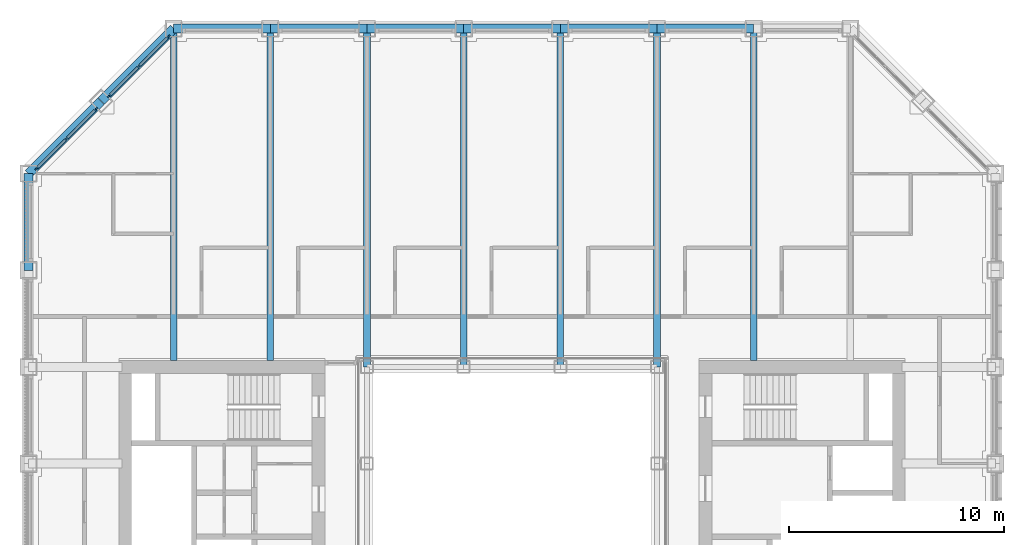
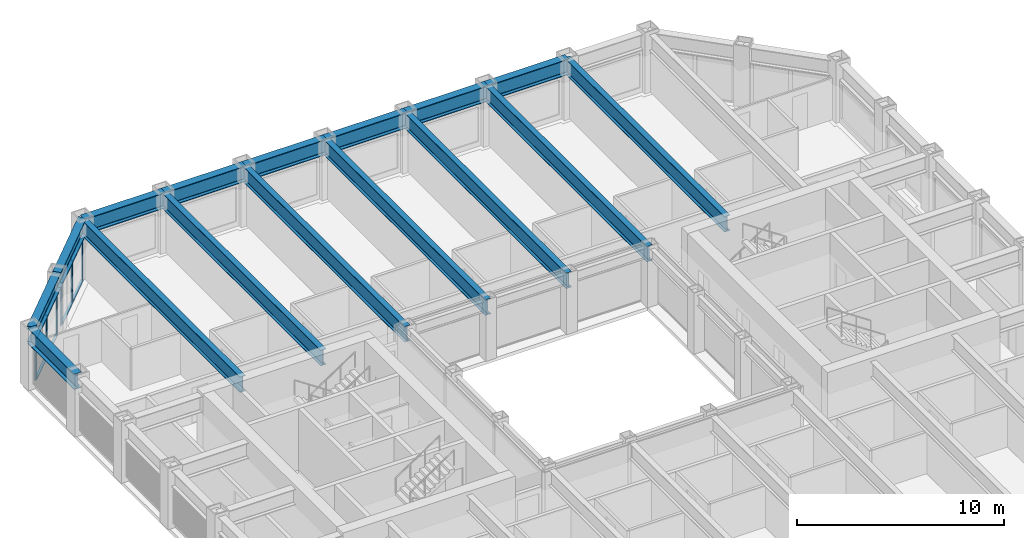
# One storey, part 7 of 18: 16 beams, 14 members, 2 elements without a shape of their own.
"""IFC4 building model written with IfcOpenShell, lengths in metres."""

from ifc_helpers import new_model, si_unit, direction, frame, origin, origin_2d, place, context, subcontext, project, spatial, rectangle, i_section, extrude, material, material_profile, profile_set, type_object, element, aggregate, save


model = new_model("IFC4")

# Units and contexts
model_context = context("Model", 3, precision=1e-05, world=origin(), true_north=direction((0.0, 1.0)))
body_context = subcontext(model_context, "Body", "Model", "MODEL_VIEW")
ifc_project = project(units=[si_unit("LENGTHUNIT", "METRE"), si_unit("AREAUNIT", "SQUARE_METRE"), si_unit("VOLUMEUNIT", "CUBIC_METRE"), si_unit("PLANEANGLEUNIT", "RADIAN"), si_unit("MASSUNIT", "GRAM", prefix="KILO")], contexts=[model_context])

# Site, building, storey
site_placement = place(None, origin())
site = spatial("IfcSite", under=ifc_project, at=site_placement, CompositionType="ELEMENT")
building_placement = place(site_placement, origin())
building = spatial("IfcBuilding", under=site, at=building_placement, Name="Msasa Ring Tower", CompositionType="ELEMENT")
storey_placement = place(building_placement, frame((0.0, 0.0, 125.60009765625)))
storey = spatial("IfcBuildingStorey", under=building, at=storey_placement, Name="L32", CompositionType="ELEMENT", Elevation=125.60009765625)

# Curtain wall, members
ifc_material_1 = material(Name="Aluminium curtain wall with clear glass", Category="aluminium")
curtain_wall_type = type_object("IfcCurtainWallType", Name="CW-C CHAMFER CORNER CURTAIN WALL", PredefinedType="NOTDEFINED", material=ifc_material_1)
curtain_wall_1_placement = place(storey_placement, origin())
curtain_wall_1 = element("IfcCurtainWall", 1, at=curtain_wall_1_placement, inside=storey, type_object=curtain_wall_type, Name="Chamfer corner curtain wall NW L32", PredefinedType="NOTDEFINED")
ifc_material_2 = material(Name="Aluminium mullion", Category="aluminium")
ifc_material_profile_1 = material_profile(ifc_material_2, rectangle(XDim=0.06494140625, YDim=0.179931640625, at=origin_2d()), Name="AL 65x180")
ifc_profile_set_1 = profile_set([ifc_material_profile_1], Name="Aluminium mullion")
member_type_1 = type_object("IfcMemberType", Name="CW-C MULLION 65x180", PredefinedType="MULLION", material=ifc_profile_set_1)
member_1_placement = place(storey_placement, frame((-19.36376953125, 18.744873046875, 0.0), z_axis=(0.0, 0.0, 1.0), x_axis=(0.707106781187, -0.707106781187, 0.0)))
member_1 = element("IfcMember", 2, at=member_1_placement, type_object=member_type_1, Name="CW-C mullion 1", PredefinedType="MULLION", context=body_context, shape_type="SweptSolid", body=[
    extrude(rectangle(XDim=0.06494140625, YDim=0.179931640625, at=origin_2d()), origin(), (0.0, 0.0, 1.0), 2.47900390625),
])
member_2_placement = place(storey_placement, frame((-20.74169921875, 17.36669921875, 0.0), z_axis=(0.0, 0.0, 1.0), x_axis=(0.707106781187, -0.707106781187, 0.0)))
member_2 = element("IfcMember", 3, at=member_2_placement, type_object=member_type_1, Name="CW-C mullion 2", PredefinedType="MULLION", context=body_context, shape_type="SweptSolid", body=[
    extrude(rectangle(XDim=0.06494140625, YDim=0.179931640625, at=origin_2d()), origin(), (0.0, 0.0, 1.0), 2.47900390625),
])
member_3_placement = place(storey_placement, frame((-22.119873046875, 15.98876953125, 0.0), z_axis=(0.0, 0.0, 1.0), x_axis=(0.707106781187, -0.707106781187, 0.0)))
member_3 = element("IfcMember", 4, at=member_3_placement, type_object=member_type_1, Name="CW-C mullion 3", PredefinedType="MULLION", context=body_context, shape_type="SweptSolid", body=[
    extrude(rectangle(XDim=0.06494140625, YDim=0.179931640625, at=origin_2d()), origin(), (0.0, 0.0, 1.0), 2.47900390625),
])

curtain_wall_2_placement = place(storey_placement, origin())
curtain_wall_2 = element("IfcCurtainWall", 5, at=curtain_wall_2_placement, inside=storey, type_object=curtain_wall_type, Name="Chamfer corner curtain wall NW L32", PredefinedType="NOTDEFINED")
member_4_placement = place(storey_placement, frame((-15.98876953125, 22.119873046875, 0.0), z_axis=(0.0, 0.0, 1.0), x_axis=(0.707106781187, -0.707106781187, 0.0)))
member_4 = element("IfcMember", 6, at=member_4_placement, type_object=member_type_1, Name="CW-C mullion 1", PredefinedType="MULLION", context=body_context, shape_type="SweptSolid", body=[
    extrude(rectangle(XDim=0.06494140625, YDim=0.179931640625, at=origin_2d()), origin(), (0.0, 0.0, 1.0), 2.47900390625),
])
member_5_placement = place(storey_placement, frame((-17.36669921875, 20.74169921875, 0.0), z_axis=(0.0, 0.0, 1.0), x_axis=(0.707106781187, -0.707106781187, 0.0)))
member_5 = element("IfcMember", 7, at=member_5_placement, type_object=member_type_1, Name="CW-C mullion 2", PredefinedType="MULLION", context=body_context, shape_type="SweptSolid", body=[
    extrude(rectangle(XDim=0.06494140625, YDim=0.179931640625, at=origin_2d()), origin(), (0.0, 0.0, 1.0), 2.47900390625),
])
member_6_placement = place(storey_placement, frame((-18.744873046875, 19.36376953125, 0.0), z_axis=(0.0, 0.0, 1.0), x_axis=(0.707106781187, -0.707106781187, 0.0)))
member_6 = element("IfcMember", 8, at=member_6_placement, type_object=member_type_1, Name="CW-C mullion 3", PredefinedType="MULLION", context=body_context, shape_type="SweptSolid", body=[
    extrude(rectangle(XDim=0.06494140625, YDim=0.179931640625, at=origin_2d()), origin(), (0.0, 0.0, 1.0), 2.47900390625),
])

# Member
ifc_material_3 = material(Name="Aluminium transom", Category="aluminium")
ifc_material_profile_2 = material_profile(ifc_material_3, rectangle(XDim=0.139892578125, YDim=0.06494140625, at=origin_2d()), Name="AL 65x140")
ifc_profile_set_2 = profile_set([ifc_material_profile_2], Name="Aluminium transom")
member_type_2 = type_object("IfcMemberType", Name="CW-C TRANSOM 65x140", PredefinedType="USERDEFINED", material=ifc_profile_set_2)
member_7_placement = place(storey_placement, frame((-19.38671875, 18.721923828125, 0.032470703125), z_axis=(-0.707106781187, -0.707106781187, 0.0), x_axis=(0.707106781187, -0.707106781187, 0.0)))
member_7 = element("IfcMember", 9, at=member_7_placement, type_object=member_type_2, Name="CW-C transom 1.1", ObjectType="TRANSOM", PredefinedType="USERDEFINED", context=body_context, shape_type="SweptSolid", body=[
    extrude(rectangle(XDim=0.139892578125, YDim=0.06494140625, at=origin_2d()), origin(), (0.0, 0.0, 1.0), 1.8837890625),
])

member_8_placement = place(storey_placement, frame((-19.38671875, 18.721923828125, 2.4462890625), z_axis=(-0.707106781187, -0.707106781187, 0.0), x_axis=(0.707106781187, -0.707106781187, 0.0)))
member_8 = element("IfcMember", 10, at=member_8_placement, type_object=member_type_2, Name="CW-C transom 1.2", ObjectType="TRANSOM", PredefinedType="USERDEFINED", context=body_context, shape_type="SweptSolid", body=[
    extrude(rectangle(XDim=0.139892578125, YDim=0.06494140625, at=origin_2d()), origin(), (0.0, 0.0, 1.0), 1.8837890625),
])

member_9_placement = place(storey_placement, frame((-20.764892578125, 17.34375, 0.032470703125), z_axis=(-0.707106781187, -0.707106781187, 0.0), x_axis=(0.707106781187, -0.707106781187, 0.0)))
member_9 = element("IfcMember", 11, at=member_9_placement, type_object=member_type_2, Name="CW-C transom 2.1", ObjectType="TRANSOM", PredefinedType="USERDEFINED", context=body_context, shape_type="SweptSolid", body=[
    extrude(rectangle(XDim=0.139892578125, YDim=0.06494140625, at=origin_2d()), origin(), (0.0, 0.0, 1.0), 1.8837890625),
])

member_10_placement = place(storey_placement, frame((-20.764892578125, 17.34375, 2.4462890625), z_axis=(-0.707106781187, -0.707106781187, 0.0), x_axis=(0.707106781187, -0.707106781187, 0.0)))
member_10 = element("IfcMember", 12, at=member_10_placement, type_object=member_type_2, Name="CW-C transom 2.2", ObjectType="TRANSOM", PredefinedType="USERDEFINED", context=body_context, shape_type="SweptSolid", body=[
    extrude(rectangle(XDim=0.139892578125, YDim=0.06494140625, at=origin_2d()), origin(), (0.0, 0.0, 1.0), 1.8837890625),
])

aggregate(curtain_wall_1, [member_1, member_2, member_3, member_7, member_8, member_9, member_10])

member_11_placement = place(storey_placement, frame((-16.01171875, 22.096923828125, 0.032470703125), z_axis=(-0.707106781187, -0.707106781187, 0.0), x_axis=(0.707106781187, -0.707106781187, 0.0)))
member_11 = element("IfcMember", 13, at=member_11_placement, type_object=member_type_2, Name="CW-C transom 1.1", ObjectType="TRANSOM", PredefinedType="USERDEFINED", context=body_context, shape_type="SweptSolid", body=[
    extrude(rectangle(XDim=0.139892578125, YDim=0.06494140625, at=origin_2d()), origin(), (0.0, 0.0, 1.0), 1.8837890625),
])

member_12_placement = place(storey_placement, frame((-16.01171875, 22.096923828125, 2.4462890625), z_axis=(-0.707106781187, -0.707106781187, 0.0), x_axis=(0.707106781187, -0.707106781187, 0.0)))
member_12 = element("IfcMember", 14, at=member_12_placement, type_object=member_type_2, Name="CW-C transom 1.2", ObjectType="TRANSOM", PredefinedType="USERDEFINED", context=body_context, shape_type="SweptSolid", body=[
    extrude(rectangle(XDim=0.139892578125, YDim=0.06494140625, at=origin_2d()), origin(), (0.0, 0.0, 1.0), 1.8837890625),
])

member_13_placement = place(storey_placement, frame((-17.389892578125, 20.71875, 0.032470703125), z_axis=(-0.707106781187, -0.707106781187, 0.0), x_axis=(0.707106781187, -0.707106781187, 0.0)))
member_13 = element("IfcMember", 15, at=member_13_placement, type_object=member_type_2, Name="CW-C transom 2.1", ObjectType="TRANSOM", PredefinedType="USERDEFINED", context=body_context, shape_type="SweptSolid", body=[
    extrude(rectangle(XDim=0.139892578125, YDim=0.06494140625, at=origin_2d()), origin(), (0.0, 0.0, 1.0), 1.8837890625),
])

member_14_placement = place(storey_placement, frame((-17.389892578125, 20.71875, 2.4462890625), z_axis=(-0.707106781187, -0.707106781187, 0.0), x_axis=(0.707106781187, -0.707106781187, 0.0)))
member_14 = element("IfcMember", 16, at=member_14_placement, type_object=member_type_2, Name="CW-C transom 2.2", ObjectType="TRANSOM", PredefinedType="USERDEFINED", context=body_context, shape_type="SweptSolid", body=[
    extrude(rectangle(XDim=0.139892578125, YDim=0.06494140625, at=origin_2d()), origin(), (0.0, 0.0, 1.0), 1.8837890625),
])

aggregate(curtain_wall_2, [member_4, member_5, member_6, member_11, member_12, member_13, member_14])

# Beams
ifc_material_4 = material(Name="Steel S355", Category="steel")
ifc_material_profile_3 = material_profile(ifc_material_4, i_section(OverallWidth=0.3076171875, OverallDepth=0.926513671875, WebThickness=0.01953125, FlangeThickness=0.031982421875, FilletRadius=0.01904296875, at=origin_2d()), Name="UB 914x305x289")
ifc_profile_set_3 = profile_set([ifc_material_profile_3], Name="Steel S355")
beam_type_1 = type_object("IfcBeamType", Name="FB3 UB 914x305x289", PredefinedType="BEAM", material=ifc_profile_set_3)
for number, where, z_axis, x_axis, name in (
    (17, (-15.75, 22.5, 2.9365234375), (0.0, -1.0, 0.0), (1.0, 0.0, 0.0), "Floor beam N-15.75 under L33"),
    (18, (-11.25, 22.5, 2.9365234375), (0.0, -1.0, 0.0), (1.0, 0.0, 0.0), "Floor beam N-11.25 under L33"),
):
    element("IfcBeam", number, at=place(storey_placement, frame(where, z_axis=z_axis, x_axis=x_axis)), inside=storey, type_object=beam_type_1, Name=name, PredefinedType="BEAM", context=body_context, shape_type="SweptSolid", body=[
        extrude(i_section(OverallWidth=0.3076171875, OverallDepth=0.926513671875, WebThickness=0.01953125, FlangeThickness=0.031982421875, FilletRadius=0.01904296875, at=origin_2d()), origin(), (0.0, 0.0, 1.0), 15.449951171875),
    ])
for number, where, z_axis, x_axis, name in (
    (19, (-6.75, 22.5, 2.9365234375), (0.0, -1.0, 0.0), (1.0, 0.0, 0.0), "Floor beam N-6.75 under L33"),
    (20, (-2.25, 22.5, 2.9365234375), (0.0, -1.0, 0.0), (1.0, 0.0, 0.0), "Floor beam N-2.25 under L33"),
    (21, (2.25, 22.5, 2.9365234375), (0.0, -1.0, 0.0), (1.0, 0.0, 0.0), "Floor beam N+2.25 under L33"),
    (22, (6.75, 22.5, 2.9365234375), (0.0, -1.0, 0.0), (1.0, 0.0, 0.0), "Floor beam N+6.75 under L33"),
):
    element("IfcBeam", number, at=place(storey_placement, frame(where, z_axis=z_axis, x_axis=x_axis)), inside=storey, type_object=beam_type_1, Name=name, PredefinedType="BEAM", context=body_context, shape_type="SweptSolid", body=[
        extrude(i_section(OverallWidth=0.3076171875, OverallDepth=0.926513671875, WebThickness=0.01953125, FlangeThickness=0.031982421875, FilletRadius=0.01904296875, at=origin_2d()), origin(), (0.0, 0.0, 1.0), 15.75),
    ])
beam_1_placement = place(storey_placement, frame((11.25, 22.5, 2.9365234375), z_axis=(0.0, -1.0, 0.0), x_axis=(1.0, 0.0, 0.0)))
element("IfcBeam", 23, at=beam_1_placement, inside=storey, type_object=beam_type_1, Name="Floor beam N+11.25 under L33", PredefinedType="BEAM", context=body_context, shape_type="SweptSolid", body=[
    extrude(i_section(OverallWidth=0.3076171875, OverallDepth=0.926513671875, WebThickness=0.01953125, FlangeThickness=0.031982421875, FilletRadius=0.01904296875, at=origin_2d()), origin(), (0.0, 0.0, 1.0), 15.449951171875),
])
ifc_material_5 = material(Name="Steel S355", Category="steel")
ifc_material_profile_4 = material_profile(ifc_material_5, i_section(OverallWidth=0.42041015625, OverallDepth=0.9208984375, WebThickness=0.021484375, FlangeThickness=0.03662109375, FilletRadius=0.024169921875, at=origin_2d()), Name="UB 914x419x388")
ifc_profile_set_4 = profile_set([ifc_material_profile_4], Name="Steel S355")
beam_type_2 = type_object("IfcBeamType", Name="SB1 UB 914x419x388", PredefinedType="SPANDREL", material=ifc_profile_set_4)
for number, where, z_axis, x_axis, name in (
    (24, (11.25, 22.5, 2.939453125), (-1.0, 0.0, 0.0), (0.0, -1.0, 0.0), "Spandrel N+11.25 to N+6.75 under L33"),
    (25, (6.75, 22.5, 2.939453125), (-1.0, 0.0, 0.0), (0.0, -1.0, 0.0), "Spandrel N+6.75 to N+2.25 under L33"),
    (26, (2.25, 22.5, 2.939453125), (-1.0, 0.0, 0.0), (0.0, -1.0, 0.0), "Spandrel N+2.25 to N-2.25 under L33"),
    (27, (-2.25, 22.5, 2.939453125), (-1.0, 0.0, 0.0), (0.0, -1.0, 0.0), "Spandrel N-2.25 to N-6.75 under L33"),
    (28, (-6.75, 22.5, 2.939453125), (-1.0, 0.0, 0.0), (0.0, -1.0, 0.0), "Spandrel N-6.75 to N-11.25 under L33"),
    (29, (-11.25, 22.5, 2.939453125), (-1.0, 0.0, 0.0), (0.0, -1.0, 0.0), "Spandrel N-11.25 to N-15.75 under L33"),
):
    element("IfcBeam", number, at=place(storey_placement, frame(where, z_axis=z_axis, x_axis=x_axis)), inside=storey, type_object=beam_type_2, Name=name, PredefinedType="SPANDREL", context=body_context, shape_type="SweptSolid", body=[
        extrude(i_section(OverallWidth=0.42041015625, OverallDepth=0.9208984375, WebThickness=0.021484375, FlangeThickness=0.03662109375, FilletRadius=0.024169921875, at=origin_2d()), origin(), (0.0, 0.0, 1.0), 4.5),
    ])
for number, where, z_axis, x_axis, name in (
    (30, (-15.75, 22.5, 2.939453125), (-0.707106781187, -0.707106781187, 0.0), (0.707106781187, -0.707106781187, 0.0), "Spandrel N-15.75 to NW under L33"),
    (31, (-19.125, 19.125, 2.939453125), (-0.707106781187, -0.707106781187, 0.0), (0.707106781187, -0.707106781187, 0.0), "Spandrel NW to W+15.75 under L33"),
):
    element("IfcBeam", number, at=place(storey_placement, frame(where, z_axis=z_axis, x_axis=x_axis)), inside=storey, type_object=beam_type_2, Name=name, PredefinedType="SPANDREL", context=body_context, shape_type="SweptSolid", body=[
        extrude(i_section(OverallWidth=0.42041015625, OverallDepth=0.9208984375, WebThickness=0.021484375, FlangeThickness=0.03662109375, FilletRadius=0.024169921875, at=origin_2d()), origin(), (0.0, 0.0, 1.0), 4.77294921875),
    ])
beam_2_placement = place(storey_placement, frame((-22.5, 15.75, 2.939453125), z_axis=(0.0, -1.0, 0.0), x_axis=(1.0, 0.0, 0.0)))
element("IfcBeam", 32, at=beam_2_placement, inside=storey, type_object=beam_type_2, Name="Spandrel W+15.75 to W+11.25 under L33", PredefinedType="SPANDREL", context=body_context, shape_type="SweptSolid", body=[
    extrude(i_section(OverallWidth=0.42041015625, OverallDepth=0.9208984375, WebThickness=0.021484375, FlangeThickness=0.03662109375, FilletRadius=0.024169921875, at=origin_2d()), origin(), (0.0, 0.0, 1.0), 4.5),
])

save(model, "model.ifc")
